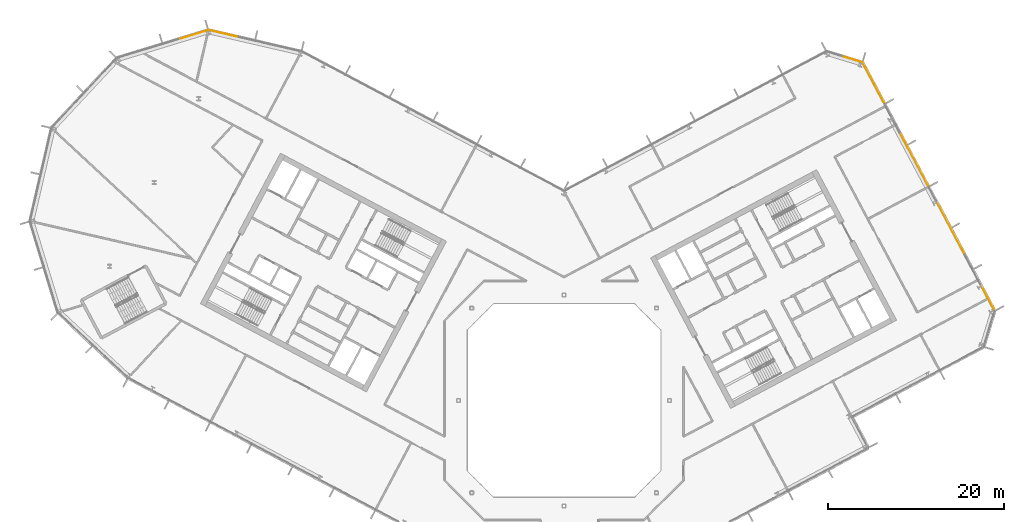
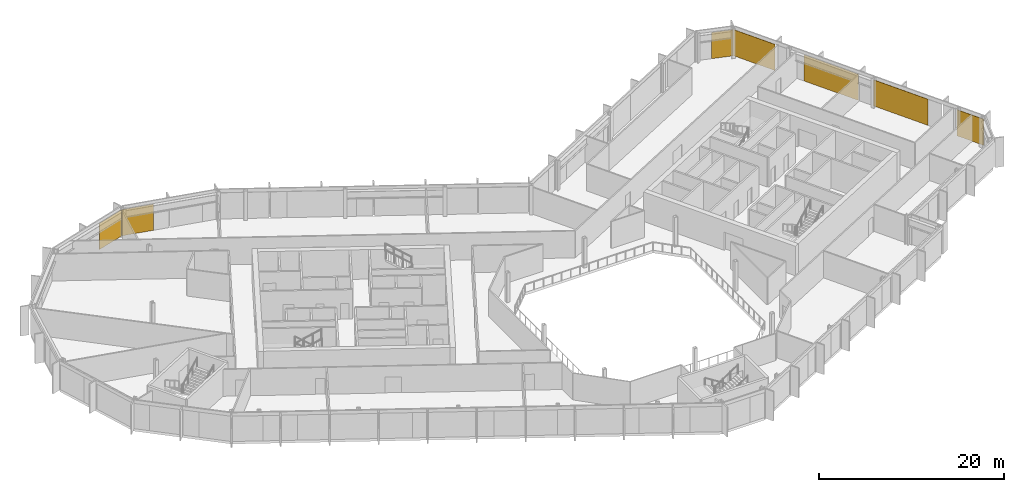
# One storey, part 26 of 26: 7 coverings, 4 elements without a shape of their own.
"""IFC4 building model written with IfcOpenShell, lengths in metres."""

from ifc_helpers import new_model, si_unit, direction, frame, origin, origin_2d, place, context, subcontext, project, spatial, rectangle, extrude, material, layer, layer_set, type_object, element, aggregate, save


model = new_model("IFC4")

# Units and contexts
model_context = context("Model", 3, precision=1e-05, world=origin(), true_north=direction((0.0, 1.0)))
body_context = subcontext(model_context, "Body", "Model", "MODEL_VIEW")
ifc_project = project(units=[si_unit("LENGTHUNIT", "METRE"), si_unit("AREAUNIT", "SQUARE_METRE"), si_unit("VOLUMEUNIT", "CUBIC_METRE"), si_unit("PLANEANGLEUNIT", "RADIAN"), si_unit("MASSUNIT", "GRAM", prefix="KILO")], contexts=[model_context])

# Site, building, storey
site_placement = place(None, origin())
site = spatial("IfcSite", under=ifc_project, at=site_placement, CompositionType="ELEMENT")
building_placement = place(site_placement, origin())
building = spatial("IfcBuilding", under=site, at=building_placement, Name="Cormorant Relay Tower", CompositionType="ELEMENT")
storey_placement = place(building_placement, frame((0.0, 0.0, 236.39990234375)))
storey = spatial("IfcBuildingStorey", under=building, at=storey_placement, Name="L52", CompositionType="ELEMENT", Elevation=236.39990234375)

# Curtain wall, coverings
ifc_material_1 = material(Name="Aluminium 6063-T6 anodised bronze", Category="aluminium")
ifc_layer_1 = layer(ifc_material_1, 0.199951171875)
ifc_layer_set_1 = layer_set([ifc_layer_1], Name="CW1 unitised bronze curtain wall with vertical fins")
curtain_wall_type = type_object("IfcCurtainWallType", Name="CW1 unitised bronze curtain wall with vertical fins", PredefinedType="NOTDEFINED", material=ifc_layer_set_1)
curtain_wall_1_placement = place(storey_placement, origin())
curtain_wall_1 = element("IfcCurtainWall", 1, at=curtain_wall_1_placement, inside=storey, type_object=curtain_wall_type, Name="CW1 curtain wall 6", PredefinedType="NOTDEFINED")
ifc_material_2 = material(Name="Pale bronze anodised aluminium insulated panel", Category="aluminium")
ifc_layer_2 = layer(ifc_material_2, 0.0400390625)
ifc_layer_set_2 = layer_set([ifc_layer_2], Name="CW1 pale bronze insulated panel 40")
covering_type = type_object("IfcCoveringType", Name="CW1 pale bronze insulated panel 40", PredefinedType="CLADDING", material=ifc_layer_set_2)
covering_1_placement = place(storey_placement, frame((48.142333984375, 11.74267578125, 0.0), z_axis=(0.0, 0.0, 1.0), x_axis=(-0.469471562786, 0.882947592859, 0.0)))
covering_1 = element("IfcCovering", 2, at=covering_1_placement, type_object=covering_type, Name="CW1 panel S00", PredefinedType="CLADDING", context=body_context, shape_type="SweptSolid", body=[
    extrude(rectangle(XDim=3.38330078125, YDim=0.0400390625, at=origin_2d()), origin(), (0.0, 0.0, 1.0), 3.449951171875),
])
covering_2_placement = place(storey_placement, frame((43.964111328125, 19.600830078125, 0.0), z_axis=(0.0, 0.0, 1.0), x_axis=(-0.469471562786, 0.882947592859, 0.0)))
covering_2 = element("IfcCovering", 3, at=covering_2_placement, type_object=covering_type, Name="CW1 panel S03", PredefinedType="CLADDING", context=body_context, shape_type="SweptSolid", body=[
    extrude(rectangle(XDim=6.916748046875, YDim=0.0400390625, at=origin_2d()), origin(), (0.0, 0.0, 1.0), 3.449951171875),
])
covering_3_placement = place(storey_placement, frame((39.801513671875, 27.4296875, 0.0), z_axis=(0.0, 0.0, 1.0), x_axis=(-0.469471562786, 0.882947592859, 0.0)))
covering_3 = element("IfcCovering", 4, at=covering_3_placement, type_object=covering_type, Name="CW1 panel S05", PredefinedType="CLADDING", context=body_context, shape_type="SweptSolid", body=[
    extrude(rectangle(XDim=6.916748046875, YDim=0.0400390625, at=origin_2d()), origin(), (0.0, 0.0, 1.0), 3.449951171875),
])
covering_4_placement = place(storey_placement, frame((35.18310546875, 36.11572265625, 0.0), z_axis=(0.0, 0.0, 1.0), x_axis=(-0.469471562786, 0.882947592859, 0.0)))
covering_4 = element("IfcCovering", 5, at=covering_4_placement, type_object=covering_type, Name="CW1 panel S07", PredefinedType="CLADDING", context=body_context, shape_type="SweptSolid", body=[
    extrude(rectangle(XDim=5.25830078125, YDim=0.0400390625, at=origin_2d()), origin(), (0.0, 0.0, 1.0), 3.449951171875),
])
aggregate(curtain_wall_1, [covering_1, covering_2, covering_3, covering_4])

# Curtain wall, covering
curtain_wall_2_placement = place(storey_placement, origin())
curtain_wall_2 = element("IfcCurtainWall", 6, at=curtain_wall_2_placement, inside=storey, type_object=curtain_wall_type, Name="CW1 curtain wall 7", PredefinedType="NOTDEFINED")
covering_5_placement = place(storey_placement, frame((32.73291015625, 38.81494140625, 0.0), z_axis=(0.0, 0.0, 1.0), x_axis=(-0.956304755963, 0.292371704723, 0.0)))
covering_5 = element("IfcCovering", 7, at=covering_5_placement, type_object=covering_type, Name="CW1 panel S00", PredefinedType="CLADDING", context=body_context, shape_type="SweptSolid", body=[
    extrude(rectangle(XDim=2.36767578125, YDim=0.0400390625, at=origin_2d()), origin(), (0.0, 0.0, 1.0), 3.449951171875),
])
aggregate(curtain_wall_2, [covering_5])

curtain_wall_3_placement = place(storey_placement, origin())
curtain_wall_3 = element("IfcCurtainWall", 8, at=curtain_wall_3_placement, inside=storey, type_object=curtain_wall_type, Name="CW1 curtain wall 10", PredefinedType="NOTDEFINED")
covering_6_placement = place(storey_placement, frame((-38.7265625, 41.732421875, 0.0), z_axis=(0.0, 0.0, 1.0), x_axis=(-0.974370064785, 0.224951054344, 0.0)))
covering_6 = element("IfcCovering", 9, at=covering_6_placement, type_object=covering_type, Name="CW1 panel S03", PredefinedType="CLADDING", context=body_context, shape_type="SweptSolid", body=[
    extrude(rectangle(XDim=3.560302734375, YDim=0.0400390625, at=origin_2d()), origin(), (0.0, 0.0, 1.0), 3.449951171875),
])
aggregate(curtain_wall_3, [covering_6])

curtain_wall_4_placement = place(storey_placement, origin())
curtain_wall_4 = element("IfcCurtainWall", 10, at=curtain_wall_4_placement, inside=storey, type_object=curtain_wall_type, Name="CW1 curtain wall 11", PredefinedType="NOTDEFINED")
covering_7_placement = place(storey_placement, frame((-42.209716796875, 41.60107421875, 0.0), z_axis=(0.0, 0.0, 1.0), x_axis=(-0.956304755963, -0.292371704723, 0.0)))
covering_7 = element("IfcCovering", 11, at=covering_7_placement, type_object=covering_type, Name="CW1 panel S00", PredefinedType="CLADDING", context=body_context, shape_type="SweptSolid", body=[
    extrude(rectangle(XDim=3.485107421875, YDim=0.0400390625, at=origin_2d()), origin(), (0.0, 0.0, 1.0), 3.449951171875),
])
aggregate(curtain_wall_4, [covering_7])

save(model, "model.ifc")
